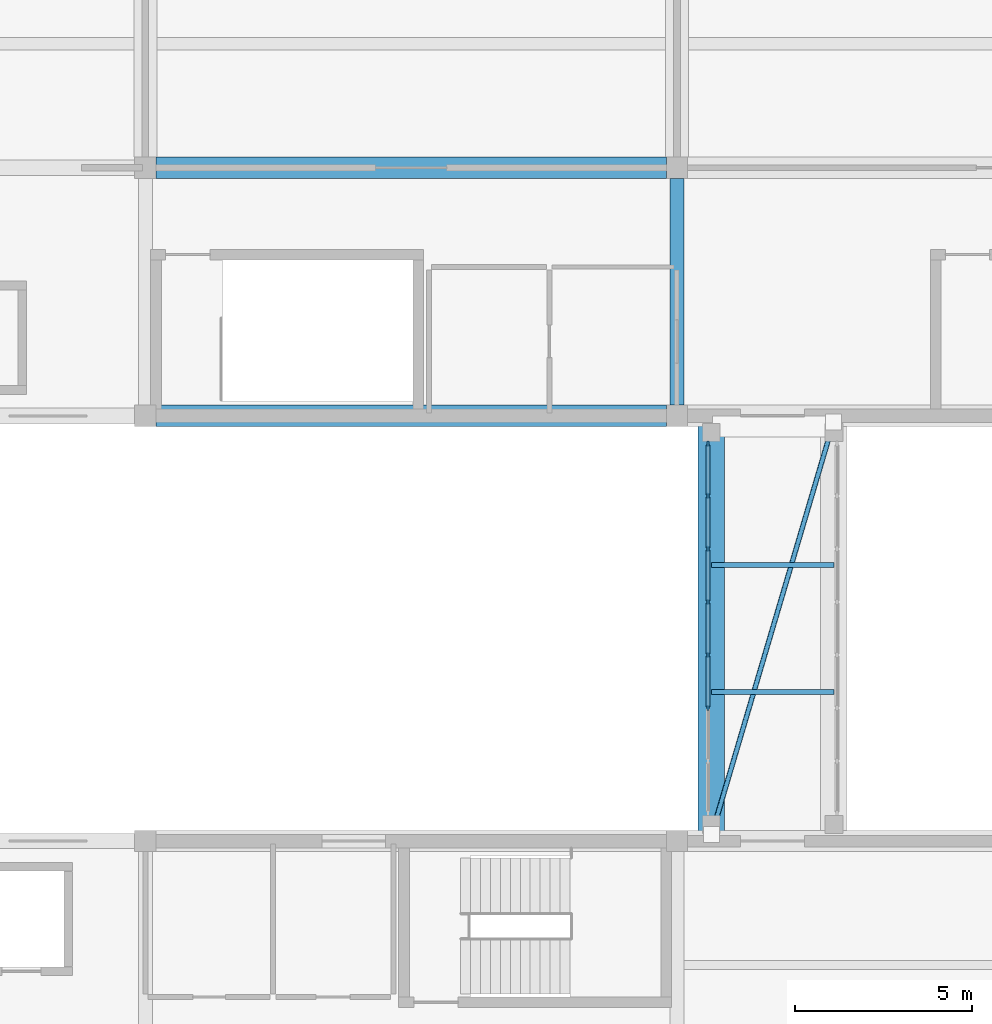
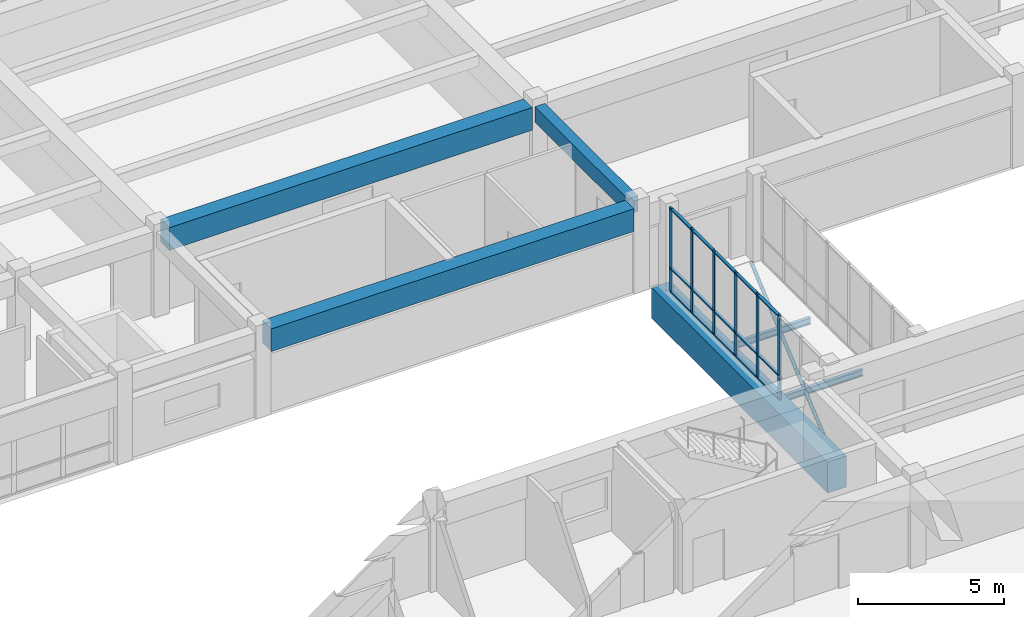
# One storey, part 11 of 66: 22 members, 6 beams, 1 element without a shape of its own.
"""IFC4 building model written with IfcOpenShell, lengths in metres."""

from ifc_helpers import new_model, si_unit, direction, frame, origin, origin_2d, place, context, subcontext, project, spatial, rectangle, hollow_circle, i_section, extrude, material, layer, layer_set, material_profile, profile_set, type_object, element, aggregate, save


model = new_model("IFC4")

# Units and contexts
model_context = context("Model", 3, precision=1e-05, world=origin(), true_north=direction((0.0, 1.0)))
body_context = subcontext(model_context, "Body", "Model", "MODEL_VIEW")
ifc_project = project(units=[si_unit("LENGTHUNIT", "METRE"), si_unit("AREAUNIT", "SQUARE_METRE"), si_unit("VOLUMEUNIT", "CUBIC_METRE"), si_unit("PLANEANGLEUNIT", "RADIAN"), si_unit("MASSUNIT", "GRAM", prefix="KILO")], contexts=[model_context])

# Site, building, storey
site_placement = place(None, origin())
site = spatial("IfcSite", under=ifc_project, at=site_placement, CompositionType="ELEMENT")
building_placement = place(site_placement, origin())
building = spatial("IfcBuilding", under=site, at=building_placement, Name="Naurynzar Civic Courthouse", CompositionType="ELEMENT")
storey_placement = place(building_placement, frame((0.0, 0.0, 14.39990234375)))
storey = spatial("IfcBuildingStorey", under=building, at=storey_placement, Name="L04", CompositionType="ELEMENT", Elevation=14.39990234375)

# Beams
ifc_material_1 = material(Name="Concrete C40/50", Category="concrete")
ifc_material_profile_1 = material_profile(ifc_material_1, rectangle(XDim=0.60009765625, YDim=0.949951171875, at=origin_2d()), Name="PTB 600x950")
ifc_profile_set_1 = profile_set([ifc_material_profile_1], Name="Concrete C40/50")
beam_type_1 = type_object("IfcBeamType", Name="BM-PT-600x950", PredefinedType="T_BEAM", material=ifc_profile_set_1)
for number, where, z_axis, x_axis, name in (
    (1, (20.300048828125, 44.0, 3.10498046875), (1.0, 0.0, 0.0), (0.0, 1.0, 0.0), "V1 beam X-224 L04"),
    (2, (20.300048828125, 51.0, 3.10498046875), (1.0, 0.0, 0.0), (0.0, 1.0, 0.0), "V1 beam X-229 L04"),
):
    element("IfcBeam", number, at=place(storey_placement, frame(where, z_axis=z_axis, x_axis=x_axis)), inside=storey, type_object=beam_type_1, Name=name, PredefinedType="T_BEAM", context=body_context, shape_type="SweptSolid", body=[
        extrude(rectangle(XDim=0.60009765625, YDim=0.949951171875, at=origin_2d()), origin(), (0.0, 0.0, 1.0), 14.39990234375),
    ])
ifc_material_2 = material(Name="Concrete C40/50", Category="concrete")
ifc_material_profile_2 = material_profile(ifc_material_2, rectangle(XDim=0.39990234375, YDim=0.64990234375, at=origin_2d()), Name="RCB 400x650")
ifc_profile_set_2 = profile_set([ifc_material_profile_2], Name="Concrete C40/50")
beam_type_2 = type_object("IfcBeamType", Name="BM-RC-400x650", PredefinedType="BEAM", material=ifc_profile_set_2)
beam_1_placement = place(storey_placement, frame((35.0, 44.300048828125, 3.255126953125), z_axis=(0.0, 1.0, 0.0), x_axis=(-1.0, 0.0, 0.0)))
element("IfcBeam", 3, at=beam_1_placement, inside=storey, type_object=beam_type_2, Name="V1 girder Y-251 L04", PredefinedType="BEAM", context=body_context, shape_type="SweptSolid", body=[
    extrude(rectangle(XDim=0.39990234375, YDim=0.64990234375, at=origin_2d()), origin(), (0.0, 0.0, 1.0), 6.39990234375),
])
ifc_material_3 = material(Name="Steel S355", Category="steel")
ifc_material_profile_3 = material_profile(ifc_material_3, i_section(OverallWidth=0.135009765625, OverallDepth=0.27001953125, WebThickness=0.006591796875, FlangeThickness=0.01025390625, FilletRadius=0.014892578125, at=origin_2d()), Name="IPE 270")
ifc_profile_set_3 = profile_set([ifc_material_profile_3], Name="Steel S355")
beam_type_3 = type_object("IfcBeamType", Name="BM-STL-IPE270", PredefinedType="BEAM", material=ifc_profile_set_3)
for number, where, z_axis, x_axis, name in (
    (4, (35.969970703125, 36.2060546875, -0.375), (1.0, 0.0, 0.0), (0.0, 1.0, 0.0), "BR-W1 deck cross-beam L04.1"),
    (5, (35.969970703125, 39.7939453125, -0.375), (1.0, 0.0, 0.0), (0.0, 1.0, 0.0), "BR-W1 deck cross-beam L04.2"),
):
    element("IfcBeam", number, at=place(storey_placement, frame(where, z_axis=z_axis, x_axis=x_axis)), inside=storey, type_object=beam_type_3, Name=name, PredefinedType="BEAM", context=body_context, shape_type="SweptSolid", body=[
        extrude(i_section(OverallWidth=0.135009765625, OverallDepth=0.27001953125, WebThickness=0.006591796875, FlangeThickness=0.01025390625, FilletRadius=0.014892578125, at=origin_2d()), origin(), (0.0, 0.0, 1.0), 3.4599609375),
    ])
ifc_material_4 = material(Name="Concrete C40/50", Category="concrete")
ifc_material_profile_4 = material_profile(ifc_material_4, rectangle(XDim=0.75, YDim=1.300048828125, at=origin_2d()), Name="RCT 750x1300")
ifc_profile_set_4 = profile_set([ifc_material_profile_4], Name="Concrete C40/50")
beam_type_4 = type_object("IfcBeamType", Name="BM-TR-750x1300", PredefinedType="SPANDREL", material=ifc_profile_set_4)
beam_2_placement = place(storey_placement, frame((35.969970703125, 31.949951171875, -0.889892578125), z_axis=(0.0, 1.0, 0.0), x_axis=(-1.0, 0.0, 0.0)))
element("IfcBeam", 6, at=beam_2_placement, inside=storey, type_object=beam_type_4, Name="Transfer Girder TG-01", PredefinedType="SPANDREL", context=body_context, shape_type="SweptSolid", body=[
    extrude(rectangle(XDim=0.75, YDim=1.300048828125, at=origin_2d()), origin(), (0.0, 0.0, 1.0), 12.10009765625),
])

# Curtain wall, members
ifc_material_5 = material(Name="Aluminium 6063-T6", Category="aluminium")
ifc_layer = layer(ifc_material_5, 0.14990234375)
ifc_layer_set = layer_set([ifc_layer], Name="CW-BRIDGE-1500")
curtain_wall_type = type_object("IfcCurtainWallType", Name="CW-BRIDGE-1500", PredefinedType="USERDEFINED", material=ifc_layer_set)
curtain_wall_placement = place(storey_placement, origin())
curtain_wall = element("IfcCurtainWall", 7, at=curtain_wall_placement, inside=storey, type_object=curtain_wall_type, Name="BR-W1 glazed bridge screen L04.1", ObjectType="GLAZED BRIDGE SCREEN", PredefinedType="USERDEFINED")
ifc_material_6 = material(Name="Aluminium 6063-T6", Category="aluminium")
ifc_material_profile_5 = material_profile(ifc_material_6, rectangle(XDim=0.06005859375, YDim=0.14990234375, at=origin_2d()), Name="ALU MULLION 60x150")
ifc_profile_set_5 = profile_set([ifc_material_profile_5], Name="Aluminium 6063-T6")
member_type_1 = type_object("IfcMemberType", Name="CWM-60x150", PredefinedType="MULLION", material=ifc_profile_set_5)
member_1_placement = place(storey_placement, frame((35.8798828125, 43.2099609375, 0.0), z_axis=(0.0, 0.0, 1.0), x_axis=(1.0, 0.0, 0.0)))
member_1 = element("IfcMember", 8, at=member_1_placement, type_object=member_type_1, Name="CW-03 mullion 1", PredefinedType="MULLION", context=body_context, shape_type="SweptSolid", body=[
    extrude(rectangle(XDim=0.06005859375, YDim=0.14990234375, at=origin_2d()), origin(), (0.0, 0.0, 1.0), 3.52001953125),
])
member_2_placement = place(storey_placement, frame((35.8798828125, 41.742919921875, 0.0), z_axis=(0.0, 0.0, 1.0), x_axis=(1.0, 0.0, 0.0)))
member_2 = element("IfcMember", 9, at=member_2_placement, type_object=member_type_1, Name="CW-03 mullion 2", PredefinedType="MULLION", context=body_context, shape_type="SweptSolid", body=[
    extrude(rectangle(XDim=0.06005859375, YDim=0.14990234375, at=origin_2d()), origin(), (0.0, 0.0, 1.0), 3.52001953125),
])
member_3_placement = place(storey_placement, frame((35.8798828125, 40.24560546875, 0.0), z_axis=(0.0, 0.0, 1.0), x_axis=(1.0, 0.0, 0.0)))
member_3 = element("IfcMember", 10, at=member_3_placement, type_object=member_type_1, Name="CW-03 mullion 3", PredefinedType="MULLION", context=body_context, shape_type="SweptSolid", body=[
    extrude(rectangle(XDim=0.06005859375, YDim=0.14990234375, at=origin_2d()), origin(), (0.0, 0.0, 1.0), 3.52001953125),
])
member_4_placement = place(storey_placement, frame((35.8798828125, 38.74853515625, 0.0), z_axis=(0.0, 0.0, 1.0), x_axis=(1.0, 0.0, 0.0)))
member_4 = element("IfcMember", 11, at=member_4_placement, type_object=member_type_1, Name="CW-03 mullion 4", PredefinedType="MULLION", context=body_context, shape_type="SweptSolid", body=[
    extrude(rectangle(XDim=0.06005859375, YDim=0.14990234375, at=origin_2d()), origin(), (0.0, 0.0, 1.0), 3.52001953125),
])
member_5_placement = place(storey_placement, frame((35.8798828125, 37.25146484375, 0.0), z_axis=(0.0, 0.0, 1.0), x_axis=(1.0, 0.0, 0.0)))
member_5 = element("IfcMember", 12, at=member_5_placement, type_object=member_type_1, Name="CW-03 mullion 5", PredefinedType="MULLION", context=body_context, shape_type="SweptSolid", body=[
    extrude(rectangle(XDim=0.06005859375, YDim=0.14990234375, at=origin_2d()), origin(), (0.0, 0.0, 1.0), 3.52001953125),
])
member_6_placement = place(storey_placement, frame((35.8798828125, 35.75439453125, 0.0), z_axis=(0.0, 0.0, 1.0), x_axis=(1.0, 0.0, 0.0)))
member_6 = element("IfcMember", 13, at=member_6_placement, type_object=member_type_1, Name="CW-03 mullion 6", PredefinedType="MULLION", context=body_context, shape_type="SweptSolid", body=[
    extrude(rectangle(XDim=0.06005859375, YDim=0.14990234375, at=origin_2d()), origin(), (0.0, 0.0, 1.0), 3.52001953125),
])
ifc_material_7 = material(Name="Aluminium 6063-T6", Category="aluminium")
ifc_material_profile_6 = material_profile(ifc_material_7, rectangle(XDim=0.110107421875, YDim=0.06005859375, at=origin_2d()), Name="ALU TRANSOM 60x110")
ifc_profile_set_6 = profile_set([ifc_material_profile_6], Name="Aluminium 6063-T6")
member_type_2 = type_object("IfcMemberType", Name="CWT-60x110", PredefinedType="USERDEFINED", material=ifc_profile_set_6)
member_7_placement = place(storey_placement, frame((35.8798828125, 43.179931640625, 0.030029296875), z_axis=(0.0, -1.0, 0.0), x_axis=(1.0, 0.0, 0.0)))
member_7 = element("IfcMember", 14, at=member_7_placement, type_object=member_type_2, Name="CW-03 transom 1.1", ObjectType="TRANSOM", PredefinedType="USERDEFINED", context=body_context, shape_type="SweptSolid", body=[
    extrude(rectangle(XDim=0.110107421875, YDim=0.06005859375, at=origin_2d()), origin(), (0.0, 0.0, 1.0), 1.406982421875),
])
member_8_placement = place(storey_placement, frame((35.8798828125, 43.179931640625, 1.0), z_axis=(0.0, -1.0, 0.0), x_axis=(1.0, 0.0, 0.0)))
member_8 = element("IfcMember", 15, at=member_8_placement, type_object=member_type_2, Name="CW-03 transom 1.2", ObjectType="TRANSOM", PredefinedType="USERDEFINED", context=body_context, shape_type="SweptSolid", body=[
    extrude(rectangle(XDim=0.110107421875, YDim=0.06005859375, at=origin_2d()), origin(), (0.0, 0.0, 1.0), 1.406982421875),
])
member_9_placement = place(storey_placement, frame((35.8798828125, 43.179931640625, 3.489990234375), z_axis=(0.0, -1.0, 0.0), x_axis=(1.0, 0.0, 0.0)))
member_9 = element("IfcMember", 16, at=member_9_placement, type_object=member_type_2, Name="CW-03 transom 1.3", ObjectType="TRANSOM", PredefinedType="USERDEFINED", context=body_context, shape_type="SweptSolid", body=[
    extrude(rectangle(XDim=0.110107421875, YDim=0.06005859375, at=origin_2d()), origin(), (0.0, 0.0, 1.0), 1.406982421875),
])
member_10_placement = place(storey_placement, frame((35.8798828125, 41.712890625, 0.030029296875), z_axis=(0.0, -1.0, 0.0), x_axis=(1.0, 0.0, 0.0)))
member_10 = element("IfcMember", 17, at=member_10_placement, type_object=member_type_2, Name="CW-03 transom 2.1", ObjectType="TRANSOM", PredefinedType="USERDEFINED", context=body_context, shape_type="SweptSolid", body=[
    extrude(rectangle(XDim=0.110107421875, YDim=0.06005859375, at=origin_2d()), origin(), (0.0, 0.0, 1.0), 1.437255859375),
])
member_11_placement = place(storey_placement, frame((35.8798828125, 41.712890625, 1.0), z_axis=(0.0, -1.0, 0.0), x_axis=(1.0, 0.0, 0.0)))
member_11 = element("IfcMember", 18, at=member_11_placement, type_object=member_type_2, Name="CW-03 transom 2.2", ObjectType="TRANSOM", PredefinedType="USERDEFINED", context=body_context, shape_type="SweptSolid", body=[
    extrude(rectangle(XDim=0.110107421875, YDim=0.06005859375, at=origin_2d()), origin(), (0.0, 0.0, 1.0), 1.437255859375),
])
member_12_placement = place(storey_placement, frame((35.8798828125, 41.712890625, 3.489990234375), z_axis=(0.0, -1.0, 0.0), x_axis=(1.0, 0.0, 0.0)))
member_12 = element("IfcMember", 19, at=member_12_placement, type_object=member_type_2, Name="CW-03 transom 2.3", ObjectType="TRANSOM", PredefinedType="USERDEFINED", context=body_context, shape_type="SweptSolid", body=[
    extrude(rectangle(XDim=0.110107421875, YDim=0.06005859375, at=origin_2d()), origin(), (0.0, 0.0, 1.0), 1.437255859375),
])
member_13_placement = place(storey_placement, frame((35.8798828125, 40.2158203125, 0.030029296875), z_axis=(0.0, -1.0, 0.0), x_axis=(1.0, 0.0, 0.0)))
member_13 = element("IfcMember", 20, at=member_13_placement, type_object=member_type_2, Name="CW-03 transom 3.1", ObjectType="TRANSOM", PredefinedType="USERDEFINED", context=body_context, shape_type="SweptSolid", body=[
    extrude(rectangle(XDim=0.110107421875, YDim=0.06005859375, at=origin_2d()), origin(), (0.0, 0.0, 1.0), 1.437255859375),
])
member_14_placement = place(storey_placement, frame((35.8798828125, 40.2158203125, 1.0), z_axis=(0.0, -1.0, 0.0), x_axis=(1.0, 0.0, 0.0)))
member_14 = element("IfcMember", 21, at=member_14_placement, type_object=member_type_2, Name="CW-03 transom 3.2", ObjectType="TRANSOM", PredefinedType="USERDEFINED", context=body_context, shape_type="SweptSolid", body=[
    extrude(rectangle(XDim=0.110107421875, YDim=0.06005859375, at=origin_2d()), origin(), (0.0, 0.0, 1.0), 1.437255859375),
])
member_15_placement = place(storey_placement, frame((35.8798828125, 40.2158203125, 3.489990234375), z_axis=(0.0, -1.0, 0.0), x_axis=(1.0, 0.0, 0.0)))
member_15 = element("IfcMember", 22, at=member_15_placement, type_object=member_type_2, Name="CW-03 transom 3.3", ObjectType="TRANSOM", PredefinedType="USERDEFINED", context=body_context, shape_type="SweptSolid", body=[
    extrude(rectangle(XDim=0.110107421875, YDim=0.06005859375, at=origin_2d()), origin(), (0.0, 0.0, 1.0), 1.437255859375),
])
member_16_placement = place(storey_placement, frame((35.8798828125, 38.718505859375, 0.030029296875), z_axis=(0.0, -1.0, 0.0), x_axis=(1.0, 0.0, 0.0)))
member_16 = element("IfcMember", 23, at=member_16_placement, type_object=member_type_2, Name="CW-03 transom 4.1", ObjectType="TRANSOM", PredefinedType="USERDEFINED", context=body_context, shape_type="SweptSolid", body=[
    extrude(rectangle(XDim=0.110107421875, YDim=0.06005859375, at=origin_2d()), origin(), (0.0, 0.0, 1.0), 1.43701171875),
])
member_17_placement = place(storey_placement, frame((35.8798828125, 38.718505859375, 1.0), z_axis=(0.0, -1.0, 0.0), x_axis=(1.0, 0.0, 0.0)))
member_17 = element("IfcMember", 24, at=member_17_placement, type_object=member_type_2, Name="CW-03 transom 4.2", ObjectType="TRANSOM", PredefinedType="USERDEFINED", context=body_context, shape_type="SweptSolid", body=[
    extrude(rectangle(XDim=0.110107421875, YDim=0.06005859375, at=origin_2d()), origin(), (0.0, 0.0, 1.0), 1.43701171875),
])
member_18_placement = place(storey_placement, frame((35.8798828125, 38.718505859375, 3.489990234375), z_axis=(0.0, -1.0, 0.0), x_axis=(1.0, 0.0, 0.0)))
member_18 = element("IfcMember", 25, at=member_18_placement, type_object=member_type_2, Name="CW-03 transom 4.3", ObjectType="TRANSOM", PredefinedType="USERDEFINED", context=body_context, shape_type="SweptSolid", body=[
    extrude(rectangle(XDim=0.110107421875, YDim=0.06005859375, at=origin_2d()), origin(), (0.0, 0.0, 1.0), 1.43701171875),
])
member_19_placement = place(storey_placement, frame((35.8798828125, 37.221435546875, 0.030029296875), z_axis=(0.0, -1.0, 0.0), x_axis=(1.0, 0.0, 0.0)))
member_19 = element("IfcMember", 26, at=member_19_placement, type_object=member_type_2, Name="CW-03 transom 5.1", ObjectType="TRANSOM", PredefinedType="USERDEFINED", context=body_context, shape_type="SweptSolid", body=[
    extrude(rectangle(XDim=0.110107421875, YDim=0.06005859375, at=origin_2d()), origin(), (0.0, 0.0, 1.0), 1.437255859375),
])
member_20_placement = place(storey_placement, frame((35.8798828125, 37.221435546875, 1.0), z_axis=(0.0, -1.0, 0.0), x_axis=(1.0, 0.0, 0.0)))
member_20 = element("IfcMember", 27, at=member_20_placement, type_object=member_type_2, Name="CW-03 transom 5.2", ObjectType="TRANSOM", PredefinedType="USERDEFINED", context=body_context, shape_type="SweptSolid", body=[
    extrude(rectangle(XDim=0.110107421875, YDim=0.06005859375, at=origin_2d()), origin(), (0.0, 0.0, 1.0), 1.437255859375),
])
member_21_placement = place(storey_placement, frame((35.8798828125, 37.221435546875, 3.489990234375), z_axis=(0.0, -1.0, 0.0), x_axis=(1.0, 0.0, 0.0)))
member_21 = element("IfcMember", 28, at=member_21_placement, type_object=member_type_2, Name="CW-03 transom 5.3", ObjectType="TRANSOM", PredefinedType="USERDEFINED", context=body_context, shape_type="SweptSolid", body=[
    extrude(rectangle(XDim=0.110107421875, YDim=0.06005859375, at=origin_2d()), origin(), (0.0, 0.0, 1.0), 1.437255859375),
])
aggregate(curtain_wall, [member_1, member_2, member_3, member_4, member_5, member_6, member_7, member_8, member_9, member_10, member_11, member_12, member_13, member_14, member_15, member_16, member_17, member_18, member_19, member_20, member_21])

# Member
ifc_material_8 = material(Name="Steel S355", Category="steel")
ifc_material_profile_7 = material_profile(ifc_material_8, hollow_circle(Radius=0.06982421875, WallThickness=0.008056640625, at=origin_2d()), Name="CHS 139.7x8")
ifc_profile_set_7 = profile_set([ifc_material_profile_7], Name="Steel S355")
member_type_3 = type_object("IfcMemberType", Name="MEM-BRACE-CHS139", PredefinedType="BRACE", material=ifc_profile_set_7)
member_22_placement = place(storey_placement, frame((35.97998046875, 32.179931640625, -0.40478515625), z_axis=(0.283407524243, 0.95899956997, 0.0), x_axis=(-0.95899956997, 0.283407524243, 0.0)))
element("IfcMember", 29, at=member_22_placement, inside=storey, type_object=member_type_3, Name="BR-W1 wind brace L04.1", PredefinedType="BRACE", context=body_context, shape_type="SweptSolid", body=[
    extrude(hollow_circle(Radius=0.06982421875, WallThickness=0.008056640625, at=origin_2d()), origin(), (0.0, 0.0, 1.0), 12.1376953125),
])

save(model, "model.ifc")
